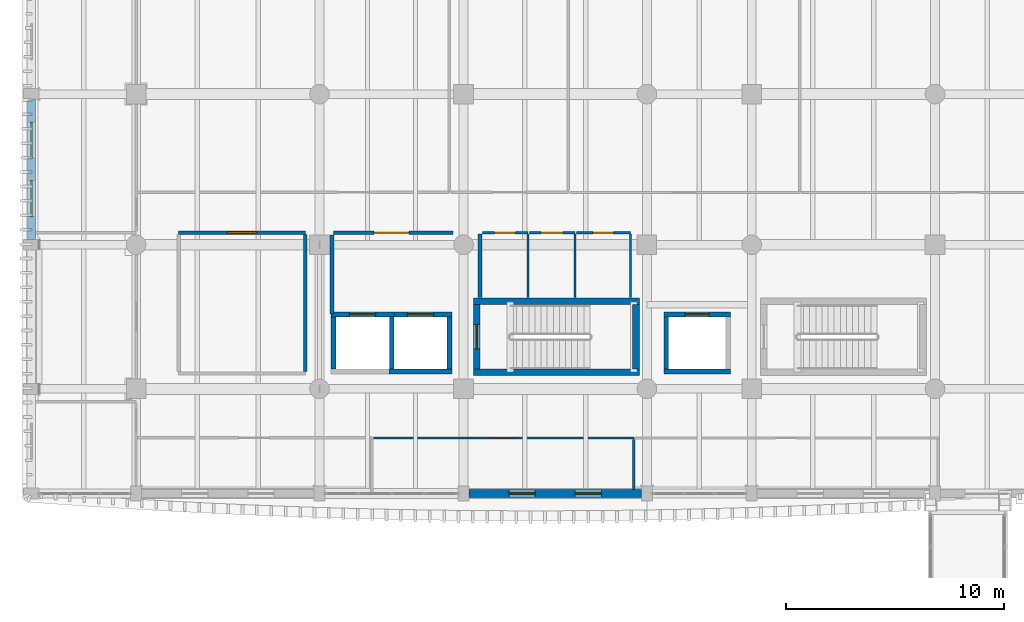
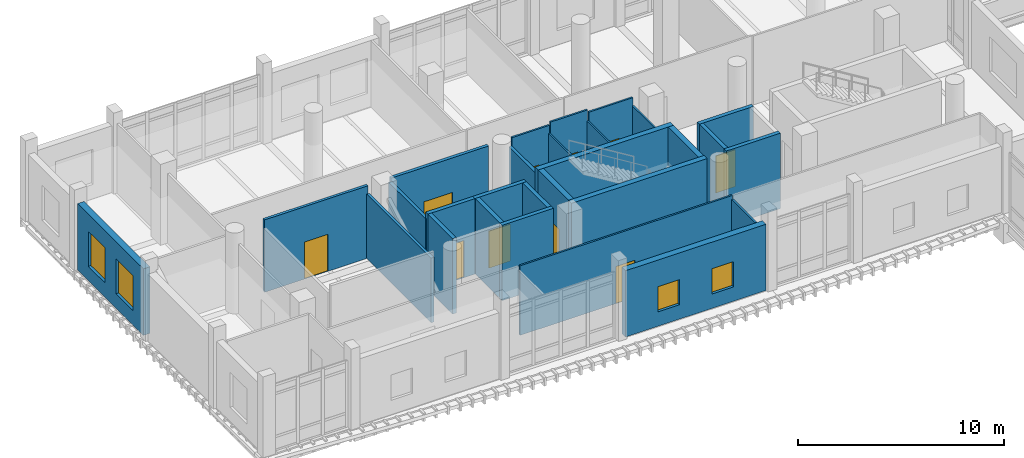
# One storey, part 70 of 101: 28 walls, 10 doors, 4 windows, 14 openings.
"""IFC4 building model written with IfcOpenShell, lengths in metres."""

from ifc_helpers import new_model, si_unit, direction, frame, frame_2d, origin, place, context, subcontext, project, spatial, rectangle, extrude, material, layer, layer_set, type_object, element, fill, save


model = new_model("IFC4")

# Units and contexts
model_context = context("Model", 3, precision=1e-05, world=origin(), true_north=direction((0.0, 1.0)))
body_context = subcontext(model_context, "Body", "Model", "MODEL_VIEW")
ifc_project = project(units=[si_unit("LENGTHUNIT", "METRE"), si_unit("AREAUNIT", "SQUARE_METRE"), si_unit("VOLUMEUNIT", "CUBIC_METRE"), si_unit("PLANEANGLEUNIT", "RADIAN"), si_unit("MASSUNIT", "GRAM", prefix="KILO")], contexts=[model_context])

# Site, building, storey
site_placement = place(None, origin())
site = spatial("IfcSite", under=ifc_project, at=site_placement, CompositionType="ELEMENT")
building_placement = place(site_placement, origin())
building = spatial("IfcBuilding", under=site, at=building_placement, Name="Dornvale Research Institute", CompositionType="ELEMENT")
storey_placement = place(building_placement, frame((0.0, 0.0, 10.199951171875)))
storey = spatial("IfcBuildingStorey", under=building, at=storey_placement, Name="L02", CompositionType="ELEMENT", Elevation=10.199951171875)

# Wall, opening, door
ifc_material_1 = material(Name="Fire-Rated Gypsum Board on Cold-Formed Steel Studs", Category="steel")
ifc_layer_1 = layer(ifc_material_1, 0.179931640625)
ifc_layer_set_1 = layer_set([ifc_layer_1], Name="Fire-Rated Gypsum Board on Cold-Formed Steel Studs")
wall_type_1 = type_object("IfcWallType", Name="Partition_FireLobby_180", PredefinedType="PARTITIONING", material=ifc_layer_set_1)
wall_1_placement = place(storey_placement, frame((13.85009765625, 110.949951171875, 0.0), z_axis=(0.0, 0.0, 1.0), x_axis=(1.0, 0.0, 0.0)))
wall_1 = element("IfcWall", 1, at=wall_1_placement, inside=storey, type_object=wall_type_1, Name="L02 Fire Service Access Elevator Lobby north rated partition", PredefinedType="PARTITIONING", context=body_context, shape_type="SweptSolid", body=[
    extrude(rectangle(XDim=5.469970703125, YDim=0.179931640625, at=frame_2d((2.73486328125, 0.0))), origin(), (0.0, 0.0, 1.0), 4.295166015625),
])
opening_1_placement = place(wall_1_placement, frame((1.85009765625, 0.0, 0.0)))
opening_1 = element("IfcOpeningElement", 2, at=opening_1_placement, cuts=wall_1, Name="Opening FD-01", PredefinedType="OPENING", context=body_context, shape_type="SweptSolid", body=[
    extrude(rectangle(XDim=1.60009765625, YDim=2.25, at=frame_2d((0.800048828125, 1.125))), frame((0.0, 0.10498046875, 0.0), z_axis=(0.0, -1.0, 0.0), x_axis=(1.0, 0.0, 0.0)), (0.0, 0.0, 1.0), 0.2099609375),
])
ifc_material_2 = material(Name="Insulated Fire-Rated Hollow Metal Door Assembly")
door_type_1 = type_object("IfcDoorType", Name="Door_FireLobby_1600x2250", OperationType="SINGLE_SWING_LEFT", PredefinedType="DOOR", material=ifc_material_2)
door_1_placement = place(opening_1_placement, origin())
door_1 = element("IfcDoor", 3, at=door_1_placement, inside=storey, type_object=door_type_1, Name="L02 Fire Service Access Elevator Lobby door", OperationType="DOUBLE_DOOR_SINGLE_SWING", OverallHeight=2.25, OverallWidth=1.60009765625, PredefinedType="DOOR", context=body_context, shape_type="SweptSolid", body=[
    extrude(rectangle(XDim=1.60009765625, YDim=2.25, at=frame_2d((0.800048828125, 1.125))), frame((0.0, 0.02490234375, 0.0), z_axis=(0.0, -1.0, 0.0), x_axis=(1.0, 0.0, 0.0)), (0.0, 0.0, 1.0), 0.050048828125),
])
fill(opening_1, door_1)

# Walls
wall_2_placement = place(storey_placement, frame((13.780029296875, 107.22998046875, 0.0), z_axis=(0.0, 0.0, 1.0), x_axis=(0.0, 1.0, 0.0)))
element("IfcWall", 4, at=wall_2_placement, inside=storey, type_object=wall_type_1, Name="L02 Fire Service Access Elevator Lobby west rated partition", PredefinedType="PARTITIONING", context=body_context, shape_type="SweptSolid", body=[
    extrude(rectangle(XDim=3.610107421875, YDim=0.179931640625, at=frame_2d((1.80517578125, 0.0))), origin(), (0.0, 0.0, 1.0), 4.130126953125),
])
wall_3_placement = place(storey_placement, frame((20.56005859375, 107.97998046875, 0.0), z_axis=(0.0, 0.0, 1.0), x_axis=(0.0, 1.0, 0.0)))
element("IfcWall", 5, at=wall_3_placement, inside=storey, type_object=wall_type_1, Name="L02 Fire Service Access Elevator Lobby east rated partition", PredefinedType="PARTITIONING", context=body_context, shape_type="SweptSolid", body=[
    extrude(rectangle(XDim=2.909912109375, YDim=0.179931640625, at=frame_2d((1.455078125, 0.0))), origin(), (0.0, 0.0, 1.0), 3.830078125),
])

# Wall, opening, door
ifc_material_3 = material(Name="Acoustic Insulated Double-Stud Laboratory Partition")
ifc_layer_2 = layer(ifc_material_3, 0.14990234375)
ifc_layer_set_2 = layer_set([ifc_layer_2], Name="Acoustic Insulated Double-Stud Laboratory Partition")
wall_type_2 = type_object("IfcWallType", Name="Partition_Lab_150", PredefinedType="PARTITIONING", material=ifc_layer_set_2)
wall_4_placement = place(storey_placement, frame((6.75, 110.949951171875, 0.0), z_axis=(0.0, 0.0, 1.0), x_axis=(1.0, 0.0, 0.0)))
wall_4 = element("IfcWall", 6, at=wall_4_placement, inside=storey, type_object=wall_type_2, Name="L02 V5 interior partition #244", PredefinedType="PARTITIONING", context=body_context, shape_type="SweptSolid", body=[
    extrude(rectangle(XDim=5.800048828125, YDim=0.14990234375, at=frame_2d((2.89990234375, 0.0))), origin(), (0.0, 0.0, 1.0), 4.295166015625),
])
opening_2_placement = place(wall_4_placement, frame((2.22998046875, 0.0, 0.0)))
opening_2 = element("IfcOpeningElement", 7, at=opening_2_placement, cuts=wall_4, Name="Opening ID-15", PredefinedType="OPENING", context=body_context, shape_type="SweptSolid", body=[
    extrude(rectangle(XDim=1.340087890625, YDim=2.199951171875, at=frame_2d((0.669921875, 1.10009765625))), frame((0.0, 0.08984375, 0.0), z_axis=(0.0, -1.0, 0.0), x_axis=(1.0, 0.0, 0.0)), (0.0, 0.0, 1.0), 0.179931640625),
])
ifc_material_4 = material(Name="Insulated Fire-Rated Hollow Metal Door Assembly")
door_type_2 = type_object("IfcDoorType", Name="Door_Storage_1340x2200", OperationType="SINGLE_SWING_LEFT", PredefinedType="DOOR", material=ifc_material_4)
door_2_placement = place(opening_2_placement, origin())
door_2 = element("IfcDoor", 8, at=door_2_placement, inside=storey, type_object=door_type_2, Name="L02 Cryogenic Specimen Data Vault L02 door #98", OperationType="SINGLE_SWING_LEFT", OverallHeight=2.199951171875, OverallWidth=1.340087890625, PredefinedType="DOOR", context=body_context, shape_type="SweptSolid", body=[
    extrude(rectangle(XDim=1.340087890625, YDim=2.199951171875, at=frame_2d((0.669921875, 1.10009765625))), frame((0.0, 0.02490234375, 0.0), z_axis=(0.0, -1.0, 0.0), x_axis=(1.0, 0.0, 0.0)), (0.0, 0.0, 1.0), 0.050048828125),
])
fill(opening_2, door_2)

# Wall
wall_5_placement = place(storey_placement, frame((12.550048828125, 104.590087890625, 0.0), z_axis=(0.0, 0.0, 1.0), x_axis=(0.0, 1.0, 0.0)))
element("IfcWall", 9, at=wall_5_placement, inside=storey, type_object=wall_type_2, Name="L02 V5 interior partition #246", PredefinedType="PARTITIONING", context=body_context, shape_type="SweptSolid", body=[
    extrude(rectangle(XDim=6.27001953125, YDim=0.14990234375, at=frame_2d((3.135009765625, 0.0))), origin(), (0.0, 0.0, 1.0), 3.830078125),
])

# Wall, opening, door
ifc_material_5 = material(Name="Acoustic Insulated Double-Stud Laboratory Partition")
ifc_layer_3 = layer(ifc_material_5, 0.10009765625)
ifc_layer_set_3 = layer_set([ifc_layer_3], Name="Acoustic Insulated Double-Stud Laboratory Partition")
wall_type_3 = type_object("IfcWallType", Name="Partition_Office_100", PredefinedType="PARTITIONING", material=ifc_layer_set_3)
wall_6_placement = place(storey_placement, frame((20.6650390625, 110.949951171875, 0.0), z_axis=(0.0, 0.0, 1.0), x_axis=(1.0, 0.0, 0.0)))
wall_6 = element("IfcWall", 10, at=wall_6_placement, inside=storey, type_object=wall_type_3, Name="L02 V5 interior partition #237", PredefinedType="PARTITIONING", context=body_context, shape_type="SweptSolid", body=[
    extrude(rectangle(XDim=2.0849609375, YDim=0.10009765625, at=frame_2d((1.04248046875, 0.0))), origin(), (0.0, 0.0, 1.0), 4.295166015625),
])
opening_3_placement = place(wall_6_placement, frame((0.56005859375, 0.0, 0.0)))
opening_3 = element("IfcOpeningElement", 11, at=opening_3_placement, cuts=wall_6, Name="Opening ID-23", PredefinedType="OPENING", context=body_context, shape_type="SweptSolid", body=[
    extrude(rectangle(XDim=0.949951171875, YDim=2.14990234375, at=frame_2d((0.47509765625, 1.074951171875))), frame((0.0, 0.06494140625, 0.0), z_axis=(0.0, -1.0, 0.0), x_axis=(1.0, 0.0, 0.0)), (0.0, 0.0, 1.0), 0.130126953125),
])
ifc_material_6 = material(Name="Phenolic-Faced Solid-Core Laboratory Door Assembly")
door_type_3 = type_object("IfcDoorType", Name="Door_WC_950x2150", OperationType="SINGLE_SWING_LEFT", PredefinedType="DOOR", material=ifc_material_6)
door_3_placement = place(opening_3_placement, origin())
door_3 = element("IfcDoor", 12, at=door_3_placement, inside=storey, type_object=door_type_3, Name="L02 Male Restroom L02 door #95", OperationType="SINGLE_SWING_RIGHT", OverallHeight=2.14990234375, OverallWidth=0.949951171875, PredefinedType="DOOR", context=body_context, shape_type="SweptSolid", body=[
    extrude(rectangle(XDim=0.949951171875, YDim=2.14990234375, at=frame_2d((0.47509765625, 1.074951171875))), frame((0.0, 0.02490234375, 0.0), z_axis=(0.0, -1.0, 0.0), x_axis=(1.0, 0.0, 0.0)), (0.0, 0.0, 1.0), 0.050048828125),
])
fill(opening_3, door_3)

# Wall
wall_7_placement = place(storey_placement, frame((22.75, 107.97998046875, 0.0), z_axis=(0.0, 0.0, 1.0), x_axis=(0.0, 1.0, 0.0)))
element("IfcWall", 13, at=wall_7_placement, inside=storey, type_object=wall_type_3, Name="L02 V5 interior partition #238", PredefinedType="PARTITIONING", context=body_context, shape_type="SweptSolid", body=[
    extrude(rectangle(XDim=2.905029296875, YDim=0.10009765625, at=frame_2d((1.45263671875, 0.0))), origin(), (0.0, 0.0, 1.0), 3.830078125),
])

# Wall, opening, door
wall_8_placement = place(storey_placement, frame((22.81494140625, 110.949951171875, 0.0), z_axis=(0.0, 0.0, 1.0), x_axis=(1.0, 0.0, 0.0)))
wall_8 = element("IfcWall", 14, at=wall_8_placement, inside=storey, type_object=wall_type_3, Name="L02 V5 interior partition #239", PredefinedType="PARTITIONING", context=body_context, shape_type="SweptSolid", body=[
    extrude(rectangle(XDim=2.0849609375, YDim=0.10009765625, at=frame_2d((1.04248046875, 0.0))), origin(), (0.0, 0.0, 1.0), 4.4599609375),
])
opening_4_placement = place(wall_8_placement, frame((0.534912109375, 0.0, 0.0)))
opening_4 = element("IfcOpeningElement", 15, at=opening_4_placement, cuts=wall_8, Name="Opening ID-24", PredefinedType="OPENING", context=body_context, shape_type="SweptSolid", body=[
    extrude(rectangle(XDim=1.0, YDim=2.14990234375, at=frame_2d((0.5, 1.074951171875))), frame((0.0, 0.06494140625, 0.0), z_axis=(0.0, -1.0, 0.0), x_axis=(1.0, 0.0, 0.0)), (0.0, 0.0, 1.0), 0.130126953125),
])
ifc_material_7 = material(Name="Phenolic-Faced Solid-Core Laboratory Door Assembly")
door_type_4 = type_object("IfcDoorType", Name="Door_AccWC_1000x2150", OperationType="SINGLE_SWING_LEFT", PredefinedType="DOOR", material=ifc_material_7)
door_4_placement = place(opening_4_placement, origin())
door_4 = element("IfcDoor", 16, at=door_4_placement, inside=storey, type_object=door_type_4, Name="L02 Female Restroom L02 door #96", OperationType="SINGLE_SWING_LEFT", OverallHeight=2.14990234375, OverallWidth=1.0, PredefinedType="DOOR", context=body_context, shape_type="SweptSolid", body=[
    extrude(rectangle(XDim=1.0, YDim=2.14990234375, at=frame_2d((0.5, 1.074951171875))), frame((0.0, 0.02490234375, 0.0), z_axis=(0.0, -1.0, 0.0), x_axis=(1.0, 0.0, 0.0)), (0.0, 0.0, 1.0), 0.050048828125),
])
fill(opening_4, door_4)

# Wall
wall_9_placement = place(storey_placement, frame((24.89990234375, 107.97998046875, 0.0), z_axis=(0.0, 0.0, 1.0), x_axis=(0.0, 1.0, 0.0)))
element("IfcWall", 17, at=wall_9_placement, inside=storey, type_object=wall_type_3, Name="L02 V5 interior partition #240", PredefinedType="PARTITIONING", context=body_context, shape_type="SweptSolid", body=[
    extrude(rectangle(XDim=2.905029296875, YDim=0.10009765625, at=frame_2d((1.45263671875, 0.0))), origin(), (0.0, 0.0, 1.0), 3.830078125),
])

# Wall, opening, door
wall_10_placement = place(storey_placement, frame((24.965087890625, 110.949951171875, 0.0), z_axis=(0.0, 0.0, 1.0), x_axis=(1.0, 0.0, 0.0)))
wall_10 = element("IfcWall", 18, at=wall_10_placement, inside=storey, type_object=wall_type_3, Name="L02 V5 interior partition #241", PredefinedType="PARTITIONING", context=body_context, shape_type="SweptSolid", body=[
    extrude(rectangle(XDim=2.48486328125, YDim=0.10009765625, at=frame_2d((1.242431640625, 0.0))), origin(), (0.0, 0.0, 1.0), 4.295166015625),
])
opening_5_placement = place(wall_10_placement, frame((0.760009765625, 0.0, 0.0)))
opening_5 = element("IfcOpeningElement", 19, at=opening_5_placement, cuts=wall_10, Name="Opening ID-23", PredefinedType="OPENING", context=body_context, shape_type="SweptSolid", body=[
    extrude(rectangle(XDim=0.949951171875, YDim=2.14990234375, at=frame_2d((0.47509765625, 1.074951171875))), frame((0.0, 0.06494140625, 0.0), z_axis=(0.0, -1.0, 0.0), x_axis=(1.0, 0.0, 0.0)), (0.0, 0.0, 1.0), 0.130126953125),
])
door_5_placement = place(opening_5_placement, origin())
door_5 = element("IfcDoor", 20, at=door_5_placement, inside=storey, type_object=door_type_3, Name="L02 Accessible Restroom L02 door #97", OperationType="SINGLE_SWING_RIGHT", OverallHeight=2.14990234375, OverallWidth=0.949951171875, PredefinedType="DOOR", context=body_context, shape_type="SweptSolid", body=[
    extrude(rectangle(XDim=0.949951171875, YDim=2.14990234375, at=frame_2d((0.47509765625, 1.074951171875))), frame((0.0, 0.02490234375, 0.0), z_axis=(0.0, -1.0, 0.0), x_axis=(1.0, 0.0, 0.0)), (0.0, 0.0, 1.0), 0.050048828125),
])
fill(opening_5, door_5)

# Wall
wall_11_placement = place(storey_placement, frame((27.449951171875, 107.97998046875, 0.0), z_axis=(0.0, 0.0, 1.0), x_axis=(0.0, 1.0, 0.0)))
element("IfcWall", 21, at=wall_11_placement, inside=storey, type_object=wall_type_3, Name="L02 V5 interior partition #242", PredefinedType="PARTITIONING", context=body_context, shape_type="SweptSolid", body=[
    extrude(rectangle(XDim=2.905029296875, YDim=0.10009765625, at=frame_2d((1.45263671875, 0.0))), origin(), (0.0, 0.0, 1.0), 3.830078125),
])

# Wall, opening, door
wall_12_placement = place(storey_placement, frame((15.675048828125, 101.550048828125, 0.0), z_axis=(0.0, 0.0, 1.0), x_axis=(1.0, 0.0, 0.0)))
wall_12 = element("IfcWall", 22, at=wall_12_placement, inside=storey, type_object=wall_type_3, Name="L02 V5 interior partition #262", PredefinedType="PARTITIONING", context=body_context, shape_type="SweptSolid", body=[
    extrude(rectangle(XDim=11.925048828125, YDim=0.10009765625, at=frame_2d((5.96240234375, 0.0))), origin(), (0.0, 0.0, 1.0), 4.130126953125),
])
opening_6_placement = place(wall_12_placement, frame((5.39501953125, 0.0, 0.0)))
opening_6 = element("IfcOpeningElement", 23, at=opening_6_placement, cuts=wall_12, Name="Opening ID-19", PredefinedType="OPENING", context=body_context, shape_type="SweptSolid", body=[
    extrude(rectangle(XDim=1.06005859375, YDim=2.199951171875, at=frame_2d((0.530029296875, 1.10009765625))), frame((0.0, 0.06494140625, 0.0), z_axis=(0.0, -1.0, 0.0), x_axis=(1.0, 0.0, 0.0)), (0.0, 0.0, 1.0), 0.130126953125),
])
ifc_material_8 = material(Name="Phenolic-Faced Solid-Core Laboratory Door Assembly")
door_type_5 = type_object("IfcDoorType", Name="Door_WriteUp_1060x2200", OperationType="SINGLE_SWING_LEFT", PredefinedType="DOOR", material=ifc_material_8)
door_6_placement = place(opening_6_placement, origin())
door_6 = element("IfcDoor", 24, at=door_6_placement, inside=storey, type_object=door_type_5, Name="L02 Researcher Write-Up Studio L02-S door #107", OperationType="SINGLE_SWING_RIGHT", OverallHeight=2.199951171875, OverallWidth=1.06005859375, PredefinedType="DOOR", context=body_context, shape_type="SweptSolid", body=[
    extrude(rectangle(XDim=1.06005859375, YDim=2.199951171875, at=frame_2d((0.530029296875, 1.10009765625))), frame((0.0, 0.02490234375, 0.0), z_axis=(0.0, -1.0, 0.0), x_axis=(1.0, 0.0, 0.0)), (0.0, 0.0, 1.0), 0.050048828125),
])
fill(opening_6, door_6)

# Walls
wall_13_placement = place(storey_placement, frame((27.60009765625, 99.195068359375, 0.0), z_axis=(0.0, 0.0, 1.0), x_axis=(0.0, 1.0, 0.0)))
element("IfcWall", 25, at=wall_13_placement, inside=storey, type_object=wall_type_3, Name="L02 V5 interior partition #263", PredefinedType="PARTITIONING", context=body_context, shape_type="SweptSolid", body=[
    extrude(rectangle(XDim=2.2900390625, YDim=0.10009765625, at=frame_2d((1.14501953125, 0.0))), origin(), (0.0, 0.0, 1.0), 3.929931640625),
])
ifc_material_9 = material(Name="Concrete f'c 50 MPa (C40/50)", Category="concrete")
ifc_layer_4 = layer(ifc_material_9, 0.300048828125)
ifc_layer_set_4 = layer_set([ifc_layer_4], Name="Concrete f'c 50 MPa (C40/50)")
wall_type_4 = type_object("IfcWallType", Name="ShearWall_Core_300", PredefinedType="SHEAR", material=ifc_layer_set_4)
for number, where, z_axis, x_axis, name in (
    (26, (20.25, 104.550048828125, 0.0), (0.0, 0.0, 1.0), (1.0, 0.0, 0.0), "L02 ST-1 shaft shear wall south"),
    (27, (20.25, 107.81005859375, 0.0), (0.0, 0.0, 1.0), (1.0, 0.0, 0.0), "L02 ST-1 shaft shear wall north"),
):
    element("IfcWall", number, at=place(storey_placement, frame(where, z_axis=z_axis, x_axis=x_axis)), inside=storey, type_object=wall_type_4, Name=name, PredefinedType="SHEAR", context=body_context, shape_type="SweptSolid", body=[
        extrude(rectangle(XDim=7.60009765625, YDim=0.300048828125, at=frame_2d((3.800048828125, 0.0))), origin(), (0.0, 0.0, 1.0), 4.47998046875),
    ])

# Wall, opening, door
wall_14_placement = place(storey_placement, frame((20.39990234375, 104.699951171875, 0.0), z_axis=(0.0, 0.0, 1.0), x_axis=(0.0, 1.0, 0.0)))
wall_14 = element("IfcWall", 28, at=wall_14_placement, inside=storey, type_object=wall_type_4, Name="L02 ST-1 shaft shear wall west", PredefinedType="SHEAR", context=body_context, shape_type="SweptSolid", body=[
    extrude(rectangle(XDim=2.9599609375, YDim=0.300048828125, at=frame_2d((1.47998046875, 0.0))), origin(), (0.0, 0.0, 1.0), 4.47998046875),
])
opening_7_placement = place(wall_14_placement, frame((0.919921875, 0.0, 0.0)))
opening_7 = element("IfcOpeningElement", 29, at=opening_7_placement, cuts=wall_14, Name="Opening SD-01", PredefinedType="OPENING", context=body_context, shape_type="SweptSolid", body=[
    extrude(rectangle(XDim=1.1201171875, YDim=2.199951171875, at=frame_2d((0.56005859375, 1.10009765625))), frame((0.0, 0.1650390625, 0.0), z_axis=(0.0, -1.0, 0.0), x_axis=(1.0, 0.0, 0.0)), (0.0, 0.0, 1.0), 0.330078125),
])
ifc_material_10 = material(Name="Insulated Fire-Rated Hollow Metal Door Assembly")
door_type_6 = type_object("IfcDoorType", Name="Door_Stair_1120x2200", OperationType="SINGLE_SWING_LEFT", PredefinedType="DOOR", material=ifc_material_10)
door_7_placement = place(opening_7_placement, origin())
door_7 = element("IfcDoor", 30, at=door_7_placement, inside=storey, type_object=door_type_6, Name="L02 ST-1 exit stair door #4", OperationType="SINGLE_SWING_RIGHT", OverallHeight=2.199951171875, OverallWidth=1.1201171875, PredefinedType="DOOR", context=body_context, shape_type="SweptSolid", body=[
    extrude(rectangle(XDim=1.1201171875, YDim=2.199951171875, at=frame_2d((0.56005859375, 1.10009765625))), frame((0.0, 0.02490234375, 0.0), z_axis=(0.0, -1.0, 0.0), x_axis=(1.0, 0.0, 0.0)), (0.0, 0.0, 1.0), 0.050048828125),
])
fill(opening_7, door_7)

# Wall
wall_15_placement = place(storey_placement, frame((27.699951171875, 104.699951171875, 0.0), z_axis=(0.0, 0.0, 1.0), x_axis=(0.0, 1.0, 0.0)))
element("IfcWall", 31, at=wall_15_placement, inside=storey, type_object=wall_type_4, Name="L02 ST-1 shaft shear wall east", PredefinedType="SHEAR", context=body_context, shape_type="SweptSolid", body=[
    extrude(rectangle(XDim=2.9599609375, YDim=0.300048828125, at=frame_2d((1.47998046875, 0.0))), origin(), (0.0, 0.0, 1.0), 4.47998046875),
])

# Wall, opening, door
ifc_material_11 = material(Name="Concrete f'c 45 MPa (C35/45)", Category="concrete")
ifc_layer_5 = layer(ifc_material_11, 0.219970703125)
ifc_layer_set_5 = layer_set([ifc_layer_5], Name="Concrete f'c 45 MPa (C35/45)")
wall_type_5 = type_object("IfcWallType", Name="ShearWall_Shaft_220", PredefinedType="SHEAR", material=ifc_layer_set_5)
wall_16_placement = place(storey_placement, frame((13.72998046875, 107.2099609375, 0.0), z_axis=(0.0, 0.0, 1.0), x_axis=(1.0, 0.0, 0.0)))
wall_16 = element("IfcWall", 32, at=wall_16_placement, inside=storey, type_object=wall_type_5, Name="L02 FS1 elevator shaft wall north", PredefinedType="SHEAR", context=body_context, shape_type="SweptSolid", body=[
    extrude(rectangle(XDim=2.89013671875, YDim=0.219970703125, at=frame_2d((1.445068359375, 0.0))), origin(), (0.0, 0.0, 1.0), 4.47998046875),
])
opening_8_placement = place(wall_16_placement, frame((0.844970703125, 0.0, 0.0)))
opening_8 = element("IfcOpeningElement", 33, at=opening_8_placement, cuts=wall_16, Name="Opening LD-01", PredefinedType="OPENING", context=body_context, shape_type="SweptSolid", body=[
    extrude(rectangle(XDim=1.199951171875, YDim=2.199951171875, at=frame_2d((0.60009765625, 1.10009765625))), frame((0.0, 0.125, 0.0), z_axis=(0.0, -1.0, 0.0), x_axis=(1.0, 0.0, 0.0)), (0.0, 0.0, 1.0), 0.25),
])
ifc_material_12 = material(Name="Brushed Stainless Steel Sliding Elevator Landing Door", Category="steel")
door_type_7 = type_object("IfcDoorType", Name="Door_LiftLanding_FSAE_1200x2200", OperationType="SINGLE_SWING_LEFT", PredefinedType="DOOR", material=ifc_material_12)
door_8_placement = place(opening_8_placement, origin())
door_8 = element("IfcDoor", 34, at=door_8_placement, inside=storey, type_object=door_type_7, Name="L02 FS1 sliding elevator landing door #4", OperationType="DOUBLE_DOOR_SLIDING", OverallHeight=2.199951171875, OverallWidth=1.199951171875, PredefinedType="DOOR", context=body_context, shape_type="SweptSolid", body=[
    extrude(rectangle(XDim=1.199951171875, YDim=2.199951171875, at=frame_2d((0.60009765625, 1.10009765625))), frame((0.0, 0.02490234375, 0.0), z_axis=(0.0, -1.0, 0.0), x_axis=(1.0, 0.0, 0.0)), (0.0, 0.0, 1.0), 0.050048828125),
])
fill(opening_8, door_8)

# Walls
for number, where, z_axis, x_axis, name in (
    (35, (13.840087890625, 104.699951171875, 0.0), (0.0, 0.0, 1.0), (0.0, 1.0, 0.0), "L02 FS1 elevator shaft wall west"),
    (36, (16.510009765625, 104.699951171875, 0.0), (0.0, 0.0, 1.0), (0.0, 1.0, 0.0), "L02 FS1 elevator shaft wall east"),
):
    element("IfcWall", number, at=place(storey_placement, frame(where, z_axis=z_axis, x_axis=x_axis)), inside=storey, type_object=wall_type_5, Name=name, PredefinedType="SHEAR", context=body_context, shape_type="SweptSolid", body=[
        extrude(rectangle(XDim=2.400146484375, YDim=0.219970703125, at=frame_2d((1.2001953125, 0.0))), origin(), (0.0, 0.0, 1.0), 4.47998046875),
    ])
wall_17_placement = place(storey_placement, frame((16.3798828125, 104.590087890625, 0.0), z_axis=(0.0, 0.0, 1.0), x_axis=(1.0, 0.0, 0.0)))
element("IfcWall", 37, at=wall_17_placement, inside=storey, type_object=wall_type_5, Name="L02 FS2 elevator shaft wall south", PredefinedType="SHEAR", context=body_context, shape_type="SweptSolid", body=[
    extrude(rectangle(XDim=2.89013671875, YDim=0.219970703125, at=frame_2d((1.445068359375, 0.0))), origin(), (0.0, 0.0, 1.0), 4.47998046875),
])

# Wall, opening, door
wall_18_placement = place(storey_placement, frame((16.3798828125, 107.2099609375, 0.0), z_axis=(0.0, 0.0, 1.0), x_axis=(1.0, 0.0, 0.0)))
wall_18 = element("IfcWall", 38, at=wall_18_placement, inside=storey, type_object=wall_type_5, Name="L02 FS2 elevator shaft wall north", PredefinedType="SHEAR", context=body_context, shape_type="SweptSolid", body=[
    extrude(rectangle(XDim=2.89013671875, YDim=0.219970703125, at=frame_2d((1.445068359375, 0.0))), origin(), (0.0, 0.0, 1.0), 4.47998046875),
])
opening_9_placement = place(wall_18_placement, frame((0.844970703125, 0.0, 0.0)))
opening_9 = element("IfcOpeningElement", 39, at=opening_9_placement, cuts=wall_18, Name="Opening LD-01", PredefinedType="OPENING", context=body_context, shape_type="SweptSolid", body=[
    extrude(rectangle(XDim=1.199951171875, YDim=2.199951171875, at=frame_2d((0.60009765625, 1.10009765625))), frame((0.0, 0.125, 0.0), z_axis=(0.0, -1.0, 0.0), x_axis=(1.0, 0.0, 0.0)), (0.0, 0.0, 1.0), 0.25),
])
door_9_placement = place(opening_9_placement, origin())
door_9 = element("IfcDoor", 40, at=door_9_placement, inside=storey, type_object=door_type_7, Name="L02 FS2 sliding elevator landing door #16", OperationType="DOUBLE_DOOR_SLIDING", OverallHeight=2.199951171875, OverallWidth=1.199951171875, PredefinedType="DOOR", context=body_context, shape_type="SweptSolid", body=[
    extrude(rectangle(XDim=1.199951171875, YDim=2.199951171875, at=frame_2d((0.60009765625, 1.10009765625))), frame((0.0, 0.02490234375, 0.0), z_axis=(0.0, -1.0, 0.0), x_axis=(1.0, 0.0, 0.0)), (0.0, 0.0, 1.0), 0.050048828125),
])
fill(opening_9, door_9)

# Walls
wall_19_placement = place(storey_placement, frame((19.159912109375, 104.699951171875, 0.0), z_axis=(0.0, 0.0, 1.0), x_axis=(0.0, 1.0, 0.0)))
element("IfcWall", 41, at=wall_19_placement, inside=storey, type_object=wall_type_5, Name="L02 FS2 elevator shaft wall east", PredefinedType="SHEAR", context=body_context, shape_type="SweptSolid", body=[
    extrude(rectangle(XDim=2.400146484375, YDim=0.219970703125, at=frame_2d((1.2001953125, 0.0))), origin(), (0.0, 0.0, 1.0), 4.47998046875),
])
wall_20_placement = place(storey_placement, frame((28.97998046875, 104.590087890625, 0.0), z_axis=(0.0, 0.0, 1.0), x_axis=(1.0, 0.0, 0.0)))
element("IfcWall", 42, at=wall_20_placement, inside=storey, type_object=wall_type_5, Name="L02 LP1 elevator shaft wall south", PredefinedType="SHEAR", context=body_context, shape_type="SweptSolid", body=[
    extrude(rectangle(XDim=3.0400390625, YDim=0.219970703125, at=frame_2d((1.52001953125, 0.0))), origin(), (0.0, 0.0, 1.0), 4.47998046875),
])

# Wall, opening, door
wall_21_placement = place(storey_placement, frame((28.97998046875, 107.2099609375, 0.0), z_axis=(0.0, 0.0, 1.0), x_axis=(1.0, 0.0, 0.0)))
wall_21 = element("IfcWall", 43, at=wall_21_placement, inside=storey, type_object=wall_type_5, Name="L02 LP1 elevator shaft wall north", PredefinedType="SHEAR", context=body_context, shape_type="SweptSolid", body=[
    extrude(rectangle(XDim=3.0400390625, YDim=0.219970703125, at=frame_2d((1.52001953125, 0.0))), origin(), (0.0, 0.0, 1.0), 4.47998046875),
])
opening_10_placement = place(wall_21_placement, frame((0.969970703125, 0.0, 0.0)))
opening_10 = element("IfcOpeningElement", 44, at=opening_10_placement, cuts=wall_21, Name="Opening LD-02", PredefinedType="OPENING", context=body_context, shape_type="SweptSolid", body=[
    extrude(rectangle(XDim=1.10009765625, YDim=2.199951171875, at=frame_2d((0.550048828125, 1.10009765625))), frame((0.0, 0.125, 0.0), z_axis=(0.0, -1.0, 0.0), x_axis=(1.0, 0.0, 0.0)), (0.0, 0.0, 1.0), 0.25),
])
ifc_material_13 = material(Name="Brushed Stainless Steel Sliding Elevator Landing Door", Category="steel")
door_type_8 = type_object("IfcDoorType", Name="Door_LiftLanding_Pass_1100x2200", OperationType="SINGLE_SWING_LEFT", PredefinedType="DOOR", material=ifc_material_13)
door_10_placement = place(opening_10_placement, origin())
door_10 = element("IfcDoor", 45, at=door_10_placement, inside=storey, type_object=door_type_8, Name="L02 LP1 sliding elevator landing door #28", OperationType="SLIDING_TO_LEFT", OverallHeight=2.199951171875, OverallWidth=1.10009765625, PredefinedType="DOOR", context=body_context, shape_type="SweptSolid", body=[
    extrude(rectangle(XDim=1.10009765625, YDim=2.199951171875, at=frame_2d((0.550048828125, 1.10009765625))), frame((0.0, 0.02490234375, 0.0), z_axis=(0.0, -1.0, 0.0), x_axis=(1.0, 0.0, 0.0)), (0.0, 0.0, 1.0), 0.050048828125),
])
fill(opening_10, door_10)

# Wall
wall_22_placement = place(storey_placement, frame((29.090087890625, 104.699951171875, 0.0), z_axis=(0.0, 0.0, 1.0), x_axis=(0.0, 1.0, 0.0)))
element("IfcWall", 46, at=wall_22_placement, inside=storey, type_object=wall_type_5, Name="L02 LP1 elevator shaft wall west", PredefinedType="SHEAR", context=body_context, shape_type="SweptSolid", body=[
    extrude(rectangle(XDim=2.400146484375, YDim=0.219970703125, at=frame_2d((1.2001953125, 0.0))), origin(), (0.0, 0.0, 1.0), 4.47998046875),
])

# Wall, openings, windows
ifc_material_14 = material(Name="Catalan Pressed Brick and Insulated Cavity Assembly", Category="masonry")
ifc_layer_6 = layer(ifc_material_14, 0.360107421875)
ifc_layer_set_6 = layer_set([ifc_layer_6], Name="Catalan Pressed Brick and Insulated Cavity Assembly")
wall_type_6 = type_object("IfcWallType", Name="StandardWall_BrickCavity_360", PredefinedType="STANDARD", material=ifc_layer_set_6)
wall_23_placement = place(storey_placement, frame((0.0, 110.64990234375, 0.0), z_axis=(0.0, 0.0, 1.0), x_axis=(0.0, 1.0, 0.0)))
wall_23 = element("IfcWall", 47, at=wall_23_placement, inside=storey, type_object=wall_type_6, Name="L02 V5 west exterior wall #320", PredefinedType="STANDARD", context=body_context, shape_type="SweptSolid", body=[
    extrude(rectangle(XDim=6.400146484375, YDim=0.360107421875, at=frame_2d((3.2001953125, 0.0))), origin(), (0.0, 0.0, 1.0), 3.949951171875),
])
opening_11_placement = place(wall_23_placement, frame((1.033203125, 0.0, 0.85009765625)))
opening_11 = element("IfcOpeningElement", 48, at=opening_11_placement, cuts=wall_23, Name="Opening W-40", PredefinedType="OPENING", context=body_context, shape_type="SweptSolid", body=[
    extrude(rectangle(XDim=1.64990234375, YDim=2.080078125, at=frame_2d((0.824951171875, 1.0400390625))), frame((0.0, 0.195068359375, 0.0), z_axis=(0.0, -1.0, 0.0), x_axis=(1.0, 0.0, 0.0)), (0.0, 0.0, 1.0), 0.39013671875),
])
opening_12_placement = place(wall_23_placement, frame((3.716552734375, 0.0, 0.85009765625)))
opening_12 = element("IfcOpeningElement", 49, at=opening_12_placement, cuts=wall_23, Name="Opening W-40", PredefinedType="OPENING", context=body_context, shape_type="SweptSolid", body=[
    extrude(rectangle(XDim=1.64990234375, YDim=2.080078125, at=frame_2d((0.824951171875, 1.0400390625))), frame((0.0, 0.195068359375, 0.0), z_axis=(0.0, -1.0, 0.0), x_axis=(1.0, 0.0, 0.0)), (0.0, 0.0, 1.0), 0.39013671875),
])
ifc_material_15 = material(Name="Low-E Argon Double Insulating Glazing Unit", Category="glass")
window_type_1 = type_object("IfcWindowType", Name="Window_Alu_1650x2080_40", PartitioningType="SINGLE_PANEL", PredefinedType="WINDOW", material=ifc_material_15)
window_1_placement = place(opening_11_placement, origin())
window_1 = element("IfcWindow", 50, at=window_1_placement, inside=storey, type_object=window_type_1, Name="L02 V5 facade window W-40 #434", OverallHeight=2.080078125, OverallWidth=1.64990234375, PartitioningType="SINGLE_PANEL", PredefinedType="WINDOW", context=body_context, shape_type="SweptSolid", body=[
    extrude(rectangle(XDim=1.64990234375, YDim=2.080078125, at=frame_2d((0.824951171875, 1.0400390625))), frame((0.0, 0.030029296875, 0.0), z_axis=(0.0, -1.0, 0.0), x_axis=(1.0, 0.0, 0.0)), (0.0, 0.0, 1.0), 0.06005859375),
])
fill(opening_11, window_1)
window_2_placement = place(opening_12_placement, origin())
window_2 = element("IfcWindow", 51, at=window_2_placement, inside=storey, type_object=window_type_1, Name="L02 V5 facade window W-40 #435", OverallHeight=2.080078125, OverallWidth=1.64990234375, PartitioningType="SINGLE_PANEL", PredefinedType="WINDOW", context=body_context, shape_type="SweptSolid", body=[
    extrude(rectangle(XDim=1.64990234375, YDim=2.080078125, at=frame_2d((0.824951171875, 1.0400390625))), frame((0.0, 0.030029296875, 0.0), z_axis=(0.0, -1.0, 0.0), x_axis=(1.0, 0.0, 0.0)), (0.0, 0.0, 1.0), 0.06005859375),
])
fill(opening_12, window_2)

wall_24_placement = place(storey_placement, frame((27.949951171875, 99.0, 0.0), z_axis=(0.0, 0.0, 1.0), x_axis=(-1.0, 0.0, 0.0)))
wall_24 = element("IfcWall", 52, at=wall_24_placement, inside=storey, type_object=wall_type_6, Name="L02 V5 south exterior wall #330", PredefinedType="STANDARD", context=body_context, shape_type="SweptSolid", body=[
    extrude(rectangle(XDim=7.89990234375, YDim=0.360107421875, at=frame_2d((3.949951171875, 0.0))), origin(), (0.0, 0.0, 1.0), 3.929931640625),
])
opening_13_placement = place(wall_24_placement, frame((1.833251953125, 0.0, 0.85009765625)))
opening_13 = element("IfcOpeningElement", 53, at=opening_13_placement, cuts=wall_24, Name="Opening W-01", PredefinedType="OPENING", context=body_context, shape_type="SweptSolid", body=[
    extrude(rectangle(XDim=1.199951171875, YDim=1.5, at=frame_2d((0.60009765625, 0.75))), frame((0.0, 0.195068359375, 0.0), z_axis=(0.0, -1.0, 0.0), x_axis=(1.0, 0.0, 0.0)), (0.0, 0.0, 1.0), 0.39013671875),
])
opening_14_placement = place(wall_24_placement, frame((4.86669921875, 0.0, 0.85009765625)))
opening_14 = element("IfcOpeningElement", 54, at=opening_14_placement, cuts=wall_24, Name="Opening W-01", PredefinedType="OPENING", context=body_context, shape_type="SweptSolid", body=[
    extrude(rectangle(XDim=1.199951171875, YDim=1.5, at=frame_2d((0.60009765625, 0.75))), frame((0.0, 0.195068359375, 0.0), z_axis=(0.0, -1.0, 0.0), x_axis=(1.0, 0.0, 0.0)), (0.0, 0.0, 1.0), 0.39013671875),
])
ifc_material_16 = material(Name="Low-E Argon Double Insulating Glazing Unit", Category="glass")
window_type_2 = type_object("IfcWindowType", Name="Window_Alu_1200x1500_01", PartitioningType="SINGLE_PANEL", PredefinedType="WINDOW", material=ifc_material_16)
window_3_placement = place(opening_13_placement, origin())
window_3 = element("IfcWindow", 55, at=window_3_placement, inside=storey, type_object=window_type_2, Name="L02 V5 facade window W-01 #446", OverallHeight=1.5, OverallWidth=1.199951171875, PartitioningType="SINGLE_PANEL", PredefinedType="WINDOW", context=body_context, shape_type="SweptSolid", body=[
    extrude(rectangle(XDim=1.199951171875, YDim=1.5, at=frame_2d((0.60009765625, 0.75))), frame((0.0, 0.030029296875, 0.0), z_axis=(0.0, -1.0, 0.0), x_axis=(1.0, 0.0, 0.0)), (0.0, 0.0, 1.0), 0.06005859375),
])
fill(opening_13, window_3)
window_4_placement = place(opening_14_placement, origin())
window_4 = element("IfcWindow", 56, at=window_4_placement, inside=storey, type_object=window_type_2, Name="L02 V5 facade window W-01 #447", OverallHeight=1.5, OverallWidth=1.199951171875, PartitioningType="SINGLE_PANEL", PredefinedType="WINDOW", context=body_context, shape_type="SweptSolid", body=[
    extrude(rectangle(XDim=1.199951171875, YDim=1.5, at=frame_2d((0.60009765625, 0.75))), frame((0.0, 0.030029296875, 0.0), z_axis=(0.0, -1.0, 0.0), x_axis=(1.0, 0.0, 0.0)), (0.0, 0.0, 1.0), 0.06005859375),
])
fill(opening_14, window_4)

save(model, "model.ifc")
